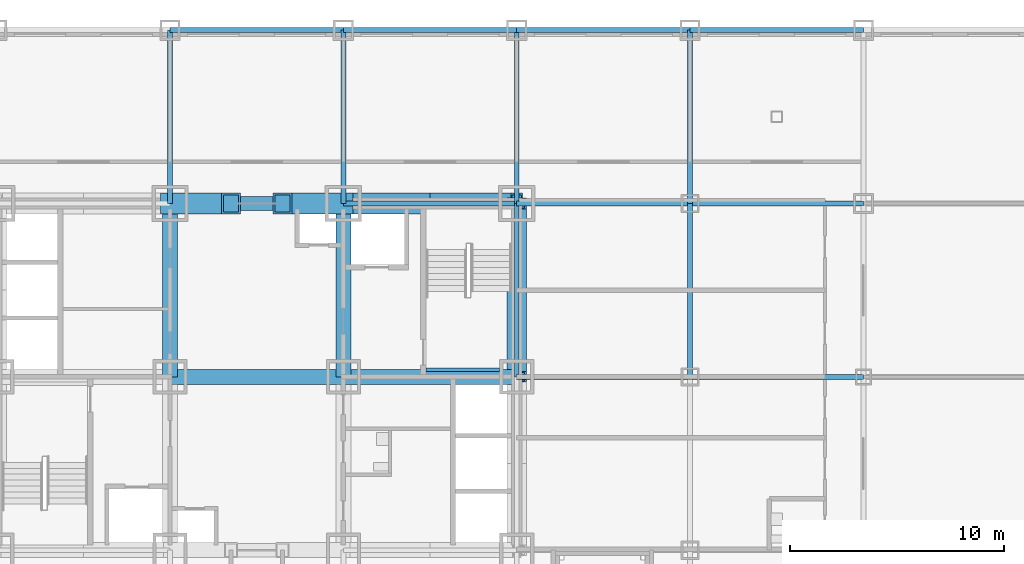
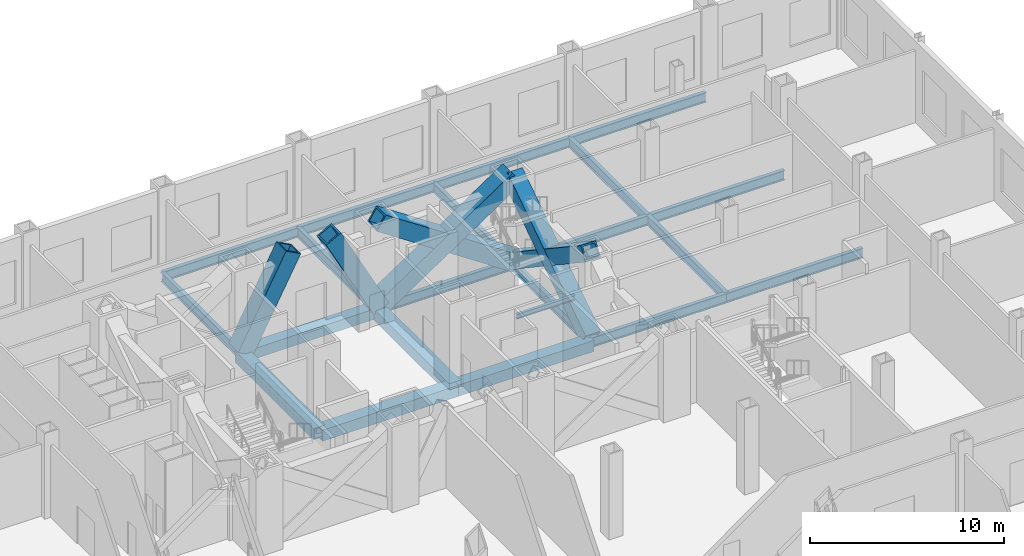
# One storey, part 14 of 26: 21 beams, 6 members.
"""IFC4 building model written with IfcOpenShell, lengths in metres."""

from ifc_helpers import new_model, si_unit, direction, frame, origin, origin_2d, place, context, subcontext, project, spatial, hollow_rectangle, i_section, extrude, material, material_profile, profile_set, type_object, element, save


model = new_model("IFC4")

# Units and contexts
model_context = context("Model", 3, precision=1e-05, world=origin(), true_north=direction((0.0, 1.0)))
body_context = subcontext(model_context, "Body", "Model", "MODEL_VIEW")
ifc_project = project(units=[si_unit("LENGTHUNIT", "METRE"), si_unit("AREAUNIT", "SQUARE_METRE"), si_unit("VOLUMEUNIT", "CUBIC_METRE"), si_unit("PLANEANGLEUNIT", "RADIAN"), si_unit("MASSUNIT", "GRAM", prefix="KILO")], contexts=[model_context])

# Site, building, storey
site_placement = place(None, origin())
site = spatial("IfcSite", under=ifc_project, at=site_placement, CompositionType="ELEMENT")
building_placement = place(site_placement, origin())
building = spatial("IfcBuilding", under=site, at=building_placement, Name="Kopane Lantern Tower", CompositionType="ELEMENT")
storey_placement = place(building_placement, frame((0.0, 0.0, 16.800048828125)))
storey = spatial("IfcBuildingStorey", under=building, at=storey_placement, Name="L03", CompositionType="ELEMENT", Elevation=16.800048828125)

# Members
ifc_material_1 = material(Name="Steel S355JR", Category="steel")
ifc_material_profile_1 = material_profile(ifc_material_1, hollow_rectangle(XDim=1.0, YDim=1.0, WallThickness=0.10009765625, at=origin_2d()), Name="BOX 1000x1000x100")
ifc_profile_set_1 = profile_set([ifc_material_profile_1], Name="Steel S355JR")
member_type_1 = type_object("IfcMemberType", Name="BRACE BOX 1000x1000x100", PredefinedType="BRACE", material=ifc_profile_set_1)
for number, where, z_axis, x_axis, name in (
    (1, (24.300048828125, 40.5, -0.25), (0.46674645747, 0.0, 0.88439117162), (0.0, 1.0, 0.0), "Core brace L03"),
    (2, (32.39990234375, 40.5, -0.25), (-0.46674645747, 0.0, 0.88439117162), (0.0, -1.0, 0.0), "Core brace L03"),
):
    element("IfcMember", number, at=place(storey_placement, frame(where, z_axis=z_axis, x_axis=x_axis)), inside=storey, type_object=member_type_1, Name=name, PredefinedType="BRACE", context=body_context, shape_type="SweptSolid", body=[
        extrude(hollow_rectangle(XDim=1.0, YDim=1.0, WallThickness=0.10009765625, at=origin_2d()), origin(), (0.0, 0.0, 1.0), 6.105712890625),
    ])
for number, where, z_axis, x_axis, name in (
    (3, (32.39990234375, 40.5, -0.25), (0.832058010752, 0.0, 0.55468862143), (0.0, 1.0, 0.0), "Core brace L03"),
    (4, (40.5, 40.5, -0.25), (-0.832058010752, 0.0, 0.55468862143), (0.0, -1.0, 0.0), "Core brace L03"),
):
    element("IfcMember", number, at=place(storey_placement, frame(where, z_axis=z_axis, x_axis=x_axis)), inside=storey, type_object=member_type_1, Name=name, PredefinedType="BRACE", context=body_context, shape_type="SweptSolid", body=[
        extrude(hollow_rectangle(XDim=1.0, YDim=1.0, WallThickness=0.10009765625, at=origin_2d()), origin(), (0.0, 0.0, 1.0), 9.735107421875),
    ])
ifc_material_2 = material(Name="Steel S355JR", Category="steel")
ifc_material_profile_2 = material_profile(ifc_material_2, hollow_rectangle(XDim=0.89990234375, YDim=0.89990234375, WallThickness=0.090087890625, at=origin_2d()), Name="BOX 900x900x90")
ifc_profile_set_2 = profile_set([ifc_material_profile_2], Name="Steel S355JR")
member_type_2 = type_object("IfcMemberType", Name="BRACE BOX 900x900x90", PredefinedType="BRACE", material=ifc_profile_set_2)
for number, where, z_axis, x_axis, name in (
    (5, (40.5, 32.39990234375, -0.25), (0.0, 0.832058010752, 0.55468862143), (-1.0, 0.0, 0.0), "Core brace L03"),
    (6, (40.5, 40.5, -0.25), (0.0, -0.832058010752, 0.55468862143), (1.0, 0.0, 0.0), "Core brace L03"),
):
    element("IfcMember", number, at=place(storey_placement, frame(where, z_axis=z_axis, x_axis=x_axis)), inside=storey, type_object=member_type_2, Name=name, PredefinedType="BRACE", context=body_context, shape_type="SweptSolid", body=[
        extrude(hollow_rectangle(XDim=0.89990234375, YDim=0.89990234375, WallThickness=0.090087890625, at=origin_2d()), origin(), (0.0, 0.0, 1.0), 9.735107421875),
    ])

# Beams
ifc_material_3 = material(Name="Steel S355JR", Category="steel")
ifc_material_profile_3 = material_profile(ifc_material_3, hollow_rectangle(XDim=0.699951171875, YDim=0.699951171875, WallThickness=0.06005859375, at=origin_2d()), Name="BOX 700x700x60")
ifc_profile_set_3 = profile_set([ifc_material_profile_3], Name="Steel S355JR")
beam_type_1 = type_object("IfcBeamType", Name="CORE BEAM BOX 700x700x60", PredefinedType="BEAM", material=ifc_profile_set_3)
beam_1_placement = place(storey_placement, frame((24.300048828125, 32.39990234375, -0.60009765625), z_axis=(0.0, 1.0, 0.0), x_axis=(-1.0, 0.0, 0.0)))
element("IfcBeam", 7, at=beam_1_placement, inside=storey, type_object=beam_type_1, Name="Core Beam L03", PredefinedType="BEAM", context=body_context, shape_type="SweptSolid", body=[
    extrude(hollow_rectangle(XDim=0.699951171875, YDim=0.699951171875, WallThickness=0.06005859375, at=origin_2d()), origin(), (0.0, 0.0, 1.0), 8.10009765625),
])
beam_2_placement = place(storey_placement, frame((24.300048828125, 32.39990234375, -0.60009765625), z_axis=(1.0, 0.0, 0.0), x_axis=(0.0, 1.0, 0.0)))
element("IfcBeam", 8, at=beam_2_placement, inside=storey, type_object=beam_type_1, Name="Core Beam L03", PredefinedType="BEAM", context=body_context, shape_type="SweptSolid", body=[
    extrude(hollow_rectangle(XDim=0.699951171875, YDim=0.699951171875, WallThickness=0.06005859375, at=origin_2d()), origin(), (0.0, 0.0, 1.0), 8.099853515625),
])
for number, where, z_axis, x_axis, name in (
    (9, (32.39990234375, 32.39990234375, -0.60009765625), (0.0, 1.0, 0.0), (-1.0, 0.0, 0.0), "Core Beam L03"),
    (10, (32.39990234375, 32.39990234375, -0.60009765625), (1.0, 0.0, 0.0), (0.0, 1.0, 0.0), "Core Beam L03"),
):
    element("IfcBeam", number, at=place(storey_placement, frame(where, z_axis=z_axis, x_axis=x_axis)), inside=storey, type_object=beam_type_1, Name=name, PredefinedType="BEAM", context=body_context, shape_type="SweptSolid", body=[
        extrude(hollow_rectangle(XDim=0.699951171875, YDim=0.699951171875, WallThickness=0.06005859375, at=origin_2d()), origin(), (0.0, 0.0, 1.0), 8.10009765625),
    ])
ifc_material_4 = material(Name="Steel S355JR", Category="steel")
ifc_material_profile_4 = material_profile(ifc_material_4, i_section(OverallWidth=0.22900390625, OverallDepth=0.6123046875, WebThickness=0.011962890625, FlangeThickness=0.01953125, FilletRadius=0.0126953125, at=origin_2d()), Name="UB 610x229x125")
ifc_profile_set_4 = profile_set([ifc_material_profile_4], Name="Steel S355JR")
beam_type_2 = type_object("IfcBeamType", Name="GIRDER UB 610x229x125", PredefinedType="BEAM", material=ifc_profile_set_4)
beam_3_placement = place(storey_placement, frame((24.300048828125, 40.5, -0.55615234375), z_axis=(0.0, 1.0, 0.0), x_axis=(-1.0, 0.0, 0.0)))
element("IfcBeam", 11, at=beam_3_placement, inside=storey, type_object=beam_type_2, Name="Girder L03", PredefinedType="BEAM", context=body_context, shape_type="SweptSolid", body=[
    extrude(i_section(OverallWidth=0.22900390625, OverallDepth=0.6123046875, WebThickness=0.011962890625, FlangeThickness=0.01953125, FilletRadius=0.0126953125, at=origin_2d()), origin(), (0.0, 0.0, 1.0), 8.10009765625),
])
beam_4_placement = place(storey_placement, frame((24.300048828125, 48.60009765625, -0.55615234375), z_axis=(1.0, 0.0, 0.0), x_axis=(0.0, 1.0, 0.0)))
element("IfcBeam", 12, at=beam_4_placement, inside=storey, type_object=beam_type_2, Name="Girder L03", PredefinedType="BEAM", context=body_context, shape_type="SweptSolid", body=[
    extrude(i_section(OverallWidth=0.22900390625, OverallDepth=0.6123046875, WebThickness=0.011962890625, FlangeThickness=0.01953125, FilletRadius=0.0126953125, at=origin_2d()), origin(), (0.0, 0.0, 1.0), 8.099853515625),
])
for number, where, z_axis, x_axis, name in (
    (13, (32.39990234375, 40.5, -0.55615234375), (0.0, 1.0, 0.0), (-1.0, 0.0, 0.0), "Girder L03"),
    (14, (32.39990234375, 40.5, -0.55615234375), (1.0, 0.0, 0.0), (0.0, 1.0, 0.0), "Girder L03"),
    (15, (32.39990234375, 48.60009765625, -0.55615234375), (1.0, 0.0, 0.0), (0.0, 1.0, 0.0), "Girder L03"),
    (16, (40.5, 32.39990234375, -0.55615234375), (0.0, 1.0, 0.0), (-1.0, 0.0, 0.0), "Girder L03"),
    (17, (40.5, 32.39990234375, -0.55615234375), (1.0, 0.0, 0.0), (0.0, 1.0, 0.0), "Girder L03"),
    (18, (40.5, 40.5, -0.55615234375), (0.0, 1.0, 0.0), (-1.0, 0.0, 0.0), "Girder L03"),
    (19, (40.5, 40.5, -0.55615234375), (1.0, 0.0, 0.0), (0.0, 1.0, 0.0), "Girder L03"),
    (20, (40.5, 48.60009765625, -0.55615234375), (1.0, 0.0, 0.0), (0.0, 1.0, 0.0), "Girder L03"),
    (21, (48.60009765625, 32.39990234375, -0.55615234375), (0.0, 1.0, 0.0), (-1.0, 0.0, 0.0), "Girder L03"),
):
    element("IfcBeam", number, at=place(storey_placement, frame(where, z_axis=z_axis, x_axis=x_axis)), inside=storey, type_object=beam_type_2, Name=name, PredefinedType="BEAM", context=body_context, shape_type="SweptSolid", body=[
        extrude(i_section(OverallWidth=0.22900390625, OverallDepth=0.6123046875, WebThickness=0.011962890625, FlangeThickness=0.01953125, FilletRadius=0.0126953125, at=origin_2d()), origin(), (0.0, 0.0, 1.0), 8.10009765625),
    ])
beam_5_placement = place(storey_placement, frame((48.60009765625, 32.39990234375, -0.55615234375), z_axis=(1.0, 0.0, 0.0), x_axis=(0.0, 1.0, 0.0)))
element("IfcBeam", 22, at=beam_5_placement, inside=storey, type_object=beam_type_2, Name="Girder L03", PredefinedType="BEAM", context=body_context, shape_type="SweptSolid", body=[
    extrude(i_section(OverallWidth=0.22900390625, OverallDepth=0.6123046875, WebThickness=0.011962890625, FlangeThickness=0.01953125, FilletRadius=0.0126953125, at=origin_2d()), origin(), (0.0, 0.0, 1.0), 8.099853515625),
])
beam_6_placement = place(storey_placement, frame((48.60009765625, 40.5, -0.55615234375), z_axis=(0.0, 1.0, 0.0), x_axis=(-1.0, 0.0, 0.0)))
element("IfcBeam", 23, at=beam_6_placement, inside=storey, type_object=beam_type_2, Name="Girder L03", PredefinedType="BEAM", context=body_context, shape_type="SweptSolid", body=[
    extrude(i_section(OverallWidth=0.22900390625, OverallDepth=0.6123046875, WebThickness=0.011962890625, FlangeThickness=0.01953125, FilletRadius=0.0126953125, at=origin_2d()), origin(), (0.0, 0.0, 1.0), 8.10009765625),
])
for number, where, z_axis, x_axis, name in (
    (24, (48.60009765625, 40.5, -0.55615234375), (1.0, 0.0, 0.0), (0.0, 1.0, 0.0), "Girder L03"),
    (25, (48.60009765625, 48.60009765625, -0.55615234375), (1.0, 0.0, 0.0), (0.0, 1.0, 0.0), "Girder L03"),
):
    element("IfcBeam", number, at=place(storey_placement, frame(where, z_axis=z_axis, x_axis=x_axis)), inside=storey, type_object=beam_type_2, Name=name, PredefinedType="BEAM", context=body_context, shape_type="SweptSolid", body=[
        extrude(i_section(OverallWidth=0.22900390625, OverallDepth=0.6123046875, WebThickness=0.011962890625, FlangeThickness=0.01953125, FilletRadius=0.0126953125, at=origin_2d()), origin(), (0.0, 0.0, 1.0), 8.099853515625),
    ])
ifc_material_5 = material(Name="Steel S355JR", Category="steel")
ifc_material_profile_5 = material_profile(ifc_material_5, hollow_rectangle(XDim=0.64990234375, YDim=0.64990234375, WallThickness=0.070068359375, at=origin_2d()), Name="BOX 650x650x70")
ifc_profile_set_5 = profile_set([ifc_material_profile_5], Name="Steel S355JR")
beam_type_3 = type_object("IfcBeamType", Name="LINK BEAM BOX 650x650x70", PredefinedType="BEAM", material=ifc_profile_set_5)
beam_7_placement = place(storey_placement, frame((24.300048828125, 40.5, -0.574951171875), z_axis=(1.0, 0.0, 0.0), x_axis=(0.0, 1.0, 0.0)))
element("IfcBeam", 26, at=beam_7_placement, inside=storey, type_object=beam_type_3, Name="Link Beam L03", PredefinedType="BEAM", context=body_context, shape_type="SweptSolid", body=[
    extrude(hollow_rectangle(XDim=0.64990234375, YDim=0.64990234375, WallThickness=0.070068359375, at=origin_2d()), origin(), (0.0, 0.0, 1.0), 8.099853515625),
])
ifc_material_6 = material(Name="Steel S355JR", Category="steel")
ifc_material_profile_6 = material_profile(ifc_material_6, i_section(OverallWidth=0.1650390625, OverallDepth=0.303466796875, WebThickness=0.006103515625, FlangeThickness=0.01025390625, FilletRadius=0.0087890625, at=origin_2d()), Name="UB 305x165x40")
ifc_profile_set_6 = profile_set([ifc_material_profile_6], Name="Steel S355JR")
beam_type_4 = type_object("IfcBeamType", Name="STAIR LANDING BEAM UB 305x165x40", PredefinedType="BEAM", material=ifc_profile_set_6)
beam_8_placement = place(storey_placement, frame((39.699951171875, 32.732421875, 2.34814453125), z_axis=(-1.0, 0.0, 0.0), x_axis=(0.0, -1.0, 0.0)))
element("IfcBeam", 27, at=beam_8_placement, inside=storey, type_object=beam_type_4, Name="Stair landing beam ST2 L03", PredefinedType="BEAM", context=body_context, shape_type="SweptSolid", body=[
    extrude(i_section(OverallWidth=0.1650390625, OverallDepth=0.303466796875, WebThickness=0.006103515625, FlangeThickness=0.01025390625, FilletRadius=0.0087890625, at=origin_2d()), origin(), (0.0, 0.0, 1.0), 3.449951171875),
])

save(model, "model.ifc")
